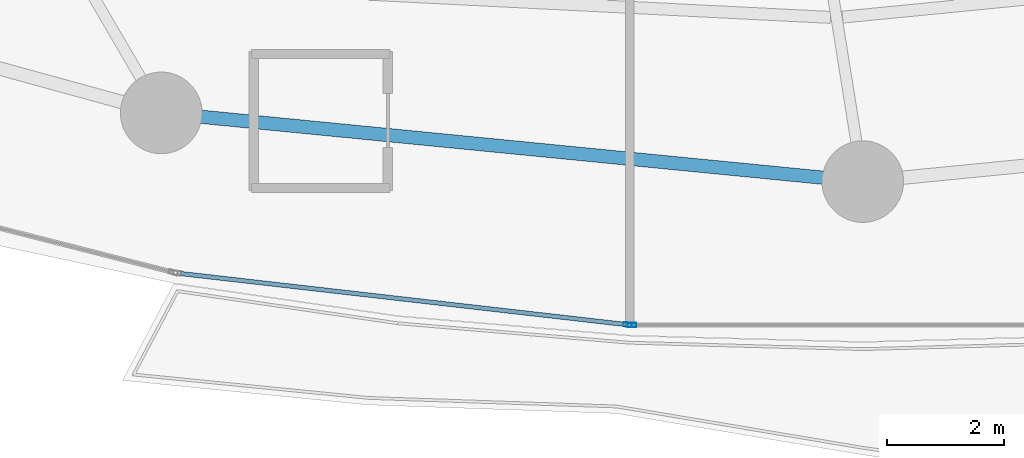
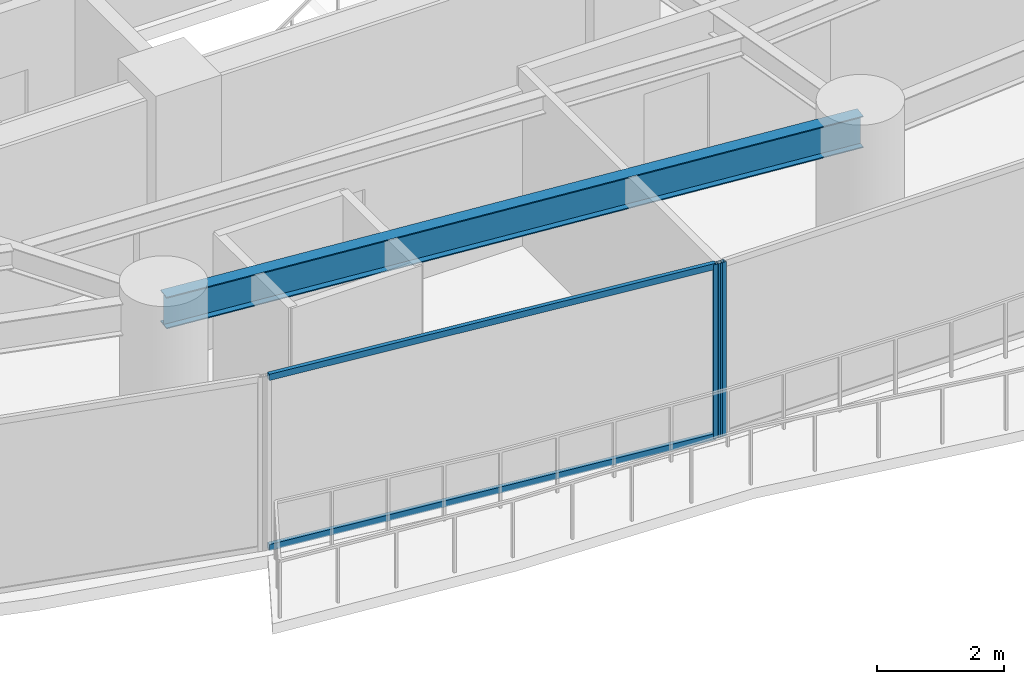
# One storey, part 6 of 33: 4 members, 1 beam, 2 elements without a shape of their own.
"""IFC4 building model written with IfcOpenShell, lengths in metres."""

from ifc_helpers import new_model, si_unit, direction, frame, origin, origin_2d, place, context, subcontext, project, spatial, hollow_rectangle, i_section, extrude, material, layer, layer_set, material_profile, profile_set, type_object, element, aggregate, save


model = new_model("IFC4")

# Units and contexts
model_context = context("Model", 3, precision=1e-05, world=origin(), true_north=direction((0.0, 1.0)))
body_context = subcontext(model_context, "Body", "Model", "MODEL_VIEW")
ifc_project = project(units=[si_unit("LENGTHUNIT", "METRE"), si_unit("AREAUNIT", "SQUARE_METRE"), si_unit("VOLUMEUNIT", "CUBIC_METRE"), si_unit("PLANEANGLEUNIT", "RADIAN"), si_unit("MASSUNIT", "GRAM", prefix="KILO")], contexts=[model_context])

# Site, building, storey
site_placement = place(None, origin())
site = spatial("IfcSite", under=ifc_project, at=site_placement, CompositionType="ELEMENT")
building_placement = place(site_placement, origin())
building = spatial("IfcBuilding", under=site, at=building_placement, Name="Kazevale Care Tower and Concert Hall", CompositionType="ELEMENT")
storey_placement = place(building_placement, frame((0.0, 0.0, 31.199951171875)))
storey = spatial("IfcBuildingStorey", under=building, at=storey_placement, Name="L07", CompositionType="ELEMENT", Elevation=31.199951171875)

# Curtain wall, member
ifc_material_1 = material(Name="Aluminium 6063-T6 and Low-E Glass", Category="aluminium")
ifc_layer = layer(ifc_material_1, 0.179931640625)
ifc_layer_set = layer_set([ifc_layer], Name="Aluminium 6063-T6 and Low-E Glass")
curtain_wall_type = type_object("IfcCurtainWallType", Name="Sheltered Concave Balcony Curtain Wall CW-5", PredefinedType="NOTDEFINED", material=ifc_layer_set)
curtain_wall_1_placement = place(storey_placement, origin())
curtain_wall_1 = element("IfcCurtainWall", 1, at=curtain_wall_1_placement, inside=storey, type_object=curtain_wall_type, Name="cw:L07:f06", PredefinedType="NOTDEFINED")
ifc_material_2 = material(Name="Aluminium 6063-T6", Category="aluminium")
ifc_material_profile_1 = material_profile(ifc_material_2, hollow_rectangle(XDim=0.074951171875, YDim=0.14990234375, WallThickness=0.00390625, at=origin_2d()), Name="ALU75x150x4")
ifc_profile_set_1 = profile_set([ifc_material_profile_1], Name="Aluminium 6063-T6")
member_type_1 = type_object("IfcMemberType", Name="CW-5 Mullion ALU75x150x4", PredefinedType="MULLION", material=ifc_profile_set_1)
member_1_placement = place(storey_placement, frame((41.03955078125, 14.889892578125, 0.0), z_axis=(0.0, 0.0, 1.0), x_axis=(0.0, -1.0, 0.0)))
member_1 = element("IfcMember", 2, at=member_1_placement, type_object=member_type_1, Name="CW-5 mullion 2", PredefinedType="MULLION", context=body_context, shape_type="SweptSolid", body=[
    extrude(hollow_rectangle(XDim=0.074951171875, YDim=0.14990234375, WallThickness=0.00390625, at=origin_2d()), origin(), (0.0, 0.0, 1.0), 3.360107421875),
])
aggregate(curtain_wall_1, [member_1])

# Curtain wall, members
curtain_wall_2_placement = place(storey_placement, origin())
curtain_wall_2 = element("IfcCurtainWall", 3, at=curtain_wall_2_placement, inside=storey, type_object=curtain_wall_type, Name="cw:L07:f07", PredefinedType="NOTDEFINED")
member_2_placement = place(storey_placement, frame((40.96484375, 14.894287109375, 0.0), z_axis=(0.0, 0.0, 1.0), x_axis=(-0.113704773808, -0.993514581883, 0.0)))
member_2 = element("IfcMember", 4, at=member_2_placement, type_object=member_type_1, Name="CW-5 mullion 1", PredefinedType="MULLION", context=body_context, shape_type="SweptSolid", body=[
    extrude(hollow_rectangle(XDim=0.074951171875, YDim=0.14990234375, WallThickness=0.00390625, at=origin_2d()), origin(), (0.0, 0.0, 1.0), 3.360107421875),
])
ifc_material_profile_2 = material_profile(ifc_material_2, hollow_rectangle(XDim=0.074951171875, YDim=0.1201171875, WallThickness=0.00390625, at=origin_2d()), Name="ALU75x120x4")
ifc_profile_set_2 = profile_set([ifc_material_profile_2], Name="Aluminium 6063-T6")
member_type_2 = type_object("IfcMemberType", Name="CW-5 Transom ALU75x120x4", PredefinedType="USERDEFINED", material=ifc_profile_set_2)
member_3_placement = place(storey_placement, frame((40.927490234375, 14.8984375, 0.03759765625), z_axis=(-0.993513842403, 0.113711234948, 0.0), x_axis=(-0.113711234948, -0.993513842403, 0.0)))
member_3 = element("IfcMember", 5, at=member_3_placement, type_object=member_type_2, Name="CW-5 transom 1.1", ObjectType="TRANSOM", PredefinedType="USERDEFINED", context=body_context, shape_type="SweptSolid", body=[
    extrude(hollow_rectangle(XDim=0.074951171875, YDim=0.1201171875, WallThickness=0.00390625, at=origin_2d()), origin(), (0.0, 0.0, 1.0), 7.69482421875),
])
member_4_placement = place(storey_placement, frame((40.927490234375, 14.8984375, 3.322509765625), z_axis=(-0.993513842403, 0.113711234948, 0.0), x_axis=(-0.113711234948, -0.993513842403, 0.0)))
member_4 = element("IfcMember", 6, at=member_4_placement, type_object=member_type_2, Name="CW-5 transom 1.2", ObjectType="TRANSOM", PredefinedType="USERDEFINED", context=body_context, shape_type="SweptSolid", body=[
    extrude(hollow_rectangle(XDim=0.074951171875, YDim=0.1201171875, WallThickness=0.00390625, at=origin_2d()), origin(), (0.0, 0.0, 1.0), 7.69482421875),
])
aggregate(curtain_wall_2, [member_2, member_3, member_4])

# Beam
ifc_material_3 = material(Name="Steel ASTM A572 Gr 50", Category="steel")
ifc_material_profile_3 = material_profile(ifc_material_3, i_section(OverallWidth=0.22900390625, OverallDepth=0.612060546875, WebThickness=0.011962890625, FlangeThickness=0.01953125, at=origin_2d()), Name="W610x125")
ifc_profile_set_3 = profile_set([ifc_material_profile_3], Name="Steel ASTM A572 Gr 50")
beam_type = type_object("IfcBeamType", Name="Ring Spandrel Beam W610x125", PredefinedType="SPANDREL", material=ifc_profile_set_3)
beam_placement = place(storey_placement, frame((32.9599609375, 18.530029296875, 3.053955078125), z_axis=(0.995232251602, -0.09753340644, 0.0), x_axis=(0.09753340644, 0.995232251602, 0.0)))
element("IfcBeam", 7, at=beam_placement, inside=storey, type_object=beam_type, Name="beam:L07:ring:12", PredefinedType="SPANDREL", context=body_context, shape_type="SweptSolid", body=[
    extrude(i_section(OverallWidth=0.22900390625, OverallDepth=0.612060546875, WebThickness=0.011962890625, FlangeThickness=0.01953125, at=origin_2d()), origin(), (0.0, 0.0, 1.0), 12.09765625),
])

save(model, "model.ifc")
